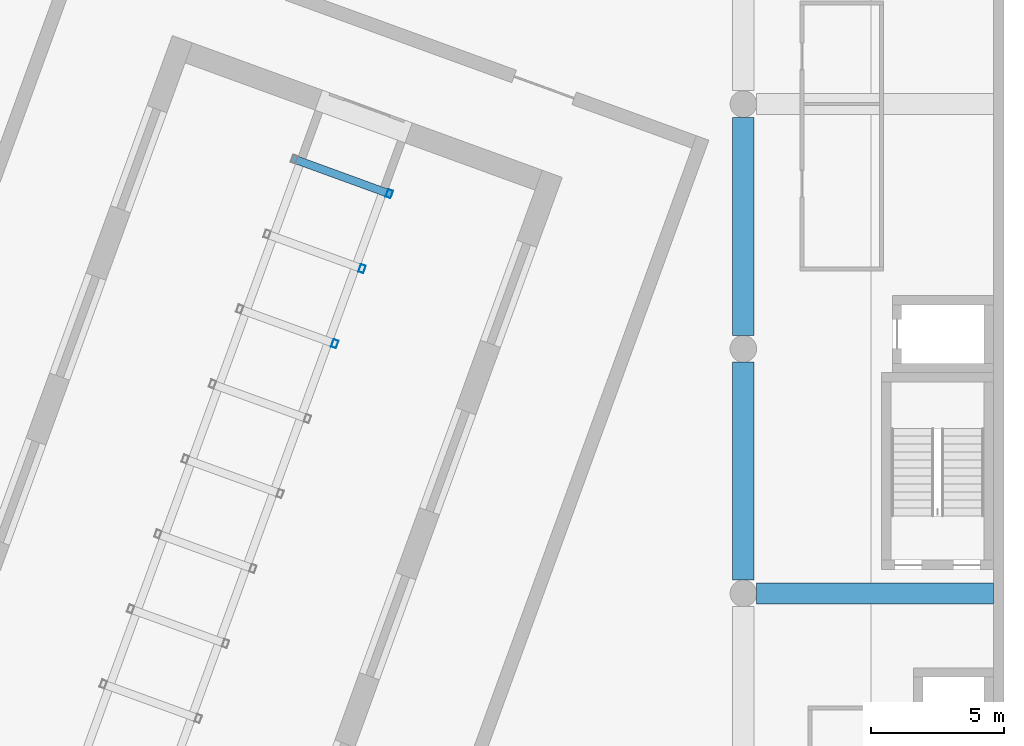
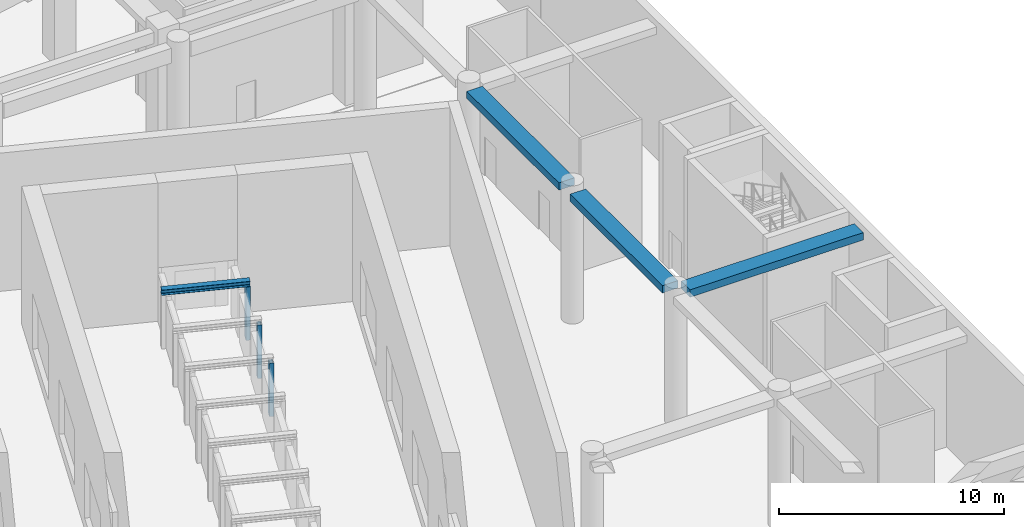
# One storey, part 6 of 36: 4 members, 3 beams.
"""IFC4 building model written with IfcOpenShell, lengths in metres."""

from ifc_helpers import new_model, si_unit, direction, frame, origin, origin_2d, place, context, subcontext, project, spatial, rectangle, hollow_rectangle, i_section, extrude, material, material_profile, profile_set, type_object, element, save


model = new_model("IFC4")

# Units and contexts
model_context = context("Model", 3, precision=1e-05, world=origin(), true_north=direction((0.0, 1.0)))
body_context = subcontext(model_context, "Body", "Model", "MODEL_VIEW")
ifc_project = project(units=[si_unit("LENGTHUNIT", "METRE"), si_unit("AREAUNIT", "SQUARE_METRE"), si_unit("VOLUMEUNIT", "CUBIC_METRE"), si_unit("PLANEANGLEUNIT", "RADIAN"), si_unit("MASSUNIT", "GRAM", prefix="KILO")], contexts=[model_context])

# Site, building, storey
site_placement = place(None, origin())
site = spatial("IfcSite", under=ifc_project, at=site_placement, CompositionType="ELEMENT")
building_placement = place(site_placement, origin())
building = spatial("IfcBuilding", under=site, at=building_placement, Name="Nzadi Deep Aquarium and Research Tower", CompositionType="ELEMENT")
storey_placement = place(building_placement, frame((0.0, 0.0, 14.199951171875)))
storey = spatial("IfcBuildingStorey", under=building, at=storey_placement, Name="L02", CompositionType="ELEMENT", Elevation=14.199951171875)

# Member
ifc_material_1 = material(Name="Steel S355", Category="steel")
ifc_material_profile_1 = material_profile(ifc_material_1, i_section(OverallWidth=0.300048828125, OverallDepth=0.2900390625, WebThickness=0.008544921875, FlangeThickness=0.013916015625, FilletRadius=0.027099609375, at=origin_2d()))
ifc_profile_set_1 = profile_set([ifc_material_profile_1], Name="Steel S355")
member_type_1 = type_object("IfcMemberType", Name="HEA 300", PredefinedType="MEMBER", material=ifc_profile_set_1)
member_placement = place(storey_placement, frame((31.02490234375, 82.160400390625, 3.045166015625), z_axis=(0.939686455819, -0.342037080957, 0.0), x_axis=(0.342037080957, 0.939686455819, 0.0)))
element("IfcMember", 1, at=member_placement, inside=storey, type_object=member_type_1, Name="MB-TUN-R9-TOP", PredefinedType="MEMBER", context=body_context, shape_type="SweptSolid", body=[
    extrude(i_section(OverallWidth=0.300048828125, OverallDepth=0.2900390625, WebThickness=0.008544921875, FlangeThickness=0.013916015625, FilletRadius=0.027099609375, at=origin_2d()), origin(), (0.0, 0.0, 1.0), 4.0),
])

# Beams
ifc_material_2 = material(Name="Concrete C35/45", Category="concrete")
ifc_material_profile_2 = material_profile(ifc_material_2, rectangle(XDim=0.800048828125, YDim=0.39990234375, at=origin_2d()))
ifc_profile_set_2 = profile_set([ifc_material_profile_2], Name="Concrete C35/45")
beam_type = type_object("IfcBeamType", Name="RC 800x400", PredefinedType="BEAM", material=ifc_profile_set_2)
beam_placement = place(storey_placement, frame((48.5, 65.800048828125, 6.949951171875), z_axis=(1.0, 0.0, 0.0), x_axis=(0.0, 1.0, 0.0)))
element("IfcBeam", 2, at=beam_placement, inside=storey, type_object=beam_type, Name="B-Z2-L02-L9-6", PredefinedType="BEAM", context=body_context, shape_type="SweptSolid", body=[
    extrude(rectangle(XDim=0.800048828125, YDim=0.39990234375, at=origin_2d()), origin(), (0.0, 0.0, 1.0), 8.89990234375),
])
for number, where, z_axis, x_axis, name in (
    (3, (48.0, 66.300048828125, 6.949951171875), (0.0, 1.0, 0.0), (-1.0, 0.0, 0.0), "B-Z2-L02-CF-3-7"),
    (4, (48.0, 75.5, 6.949951171875), (0.0, 1.0, 0.0), (-1.0, 0.0, 0.0), "B-Z2-L02-CF-4-7"),
):
    element("IfcBeam", number, at=place(storey_placement, frame(where, z_axis=z_axis, x_axis=x_axis)), inside=storey, type_object=beam_type, Name=name, PredefinedType="BEAM", context=body_context, shape_type="SweptSolid", body=[
        extrude(rectangle(XDim=0.800048828125, YDim=0.39990234375, at=origin_2d()), origin(), (0.0, 0.0, 1.0), 8.199951171875),
    ])

# Members
ifc_material_3 = material(Name="Steel S355", Category="steel")
ifc_material_profile_3 = material_profile(ifc_material_3, hollow_rectangle(XDim=0.199951171875, YDim=0.300048828125, WallThickness=0.011962890625, at=origin_2d()))
ifc_profile_set_3 = profile_set([ifc_material_profile_3], Name="Steel S355")
member_type_2 = type_object("IfcMemberType", Name="RHS 300x200x12", PredefinedType="POST", material=ifc_profile_set_3)
for number, where, z_axis, x_axis, name in (
    (5, (32.637451171875, 75.188232421875, 0.0), (0.0, 0.0, 1.0), (0.939692620786, -0.342020143326, 0.0), "MB-TUN-R7-PE"),
    (6, (33.66357421875, 78.00732421875, 0.0), (0.0, 0.0, 1.0), (0.939692620786, -0.342020143326, 0.0), "MB-TUN-R8-PE"),
    (7, (34.689697265625, 80.826416015625, 0.0), (0.0, 0.0, 1.0), (0.939692620786, -0.342020143326, 0.0), "MB-TUN-R9-PE"),
):
    element("IfcMember", number, at=place(storey_placement, frame(where, z_axis=z_axis, x_axis=x_axis)), inside=storey, type_object=member_type_2, Name=name, PredefinedType="POST", context=body_context, shape_type="SweptSolid", body=[
        extrude(hollow_rectangle(XDim=0.199951171875, YDim=0.300048828125, WallThickness=0.011962890625, at=origin_2d()), origin(), (0.0, 0.0, 1.0), 2.900146484375),
    ])

save(model, "model.ifc")
